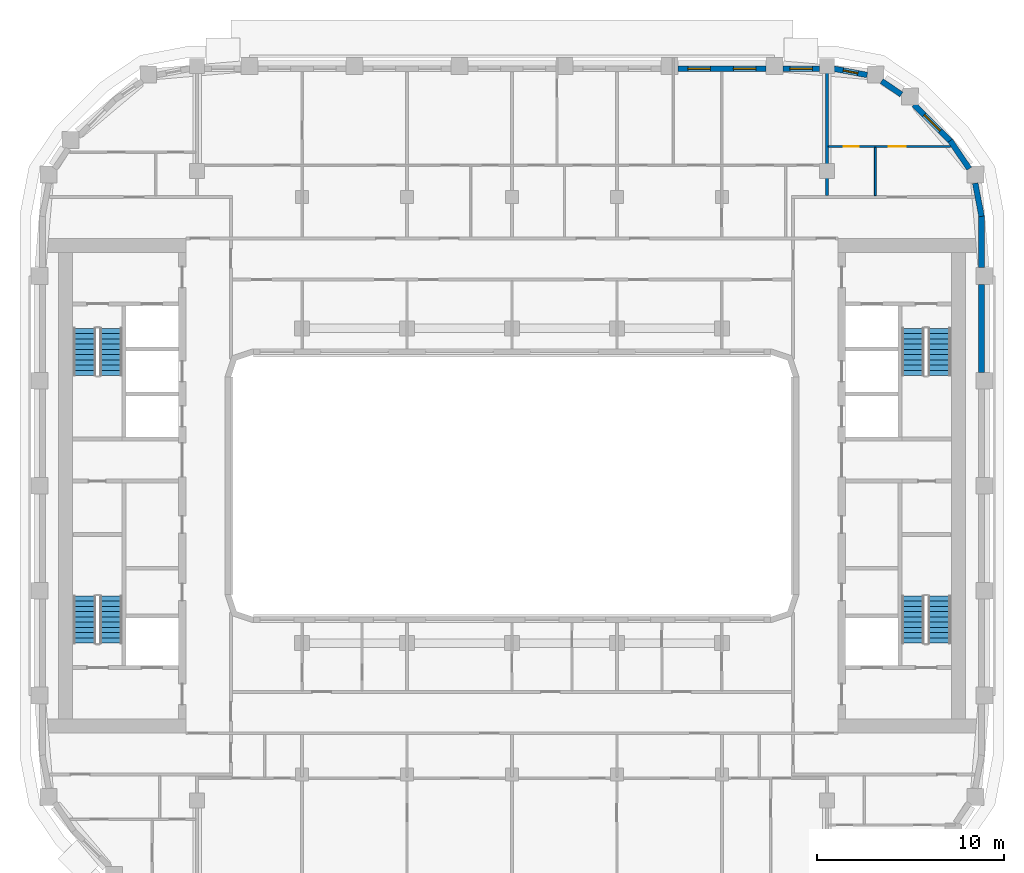
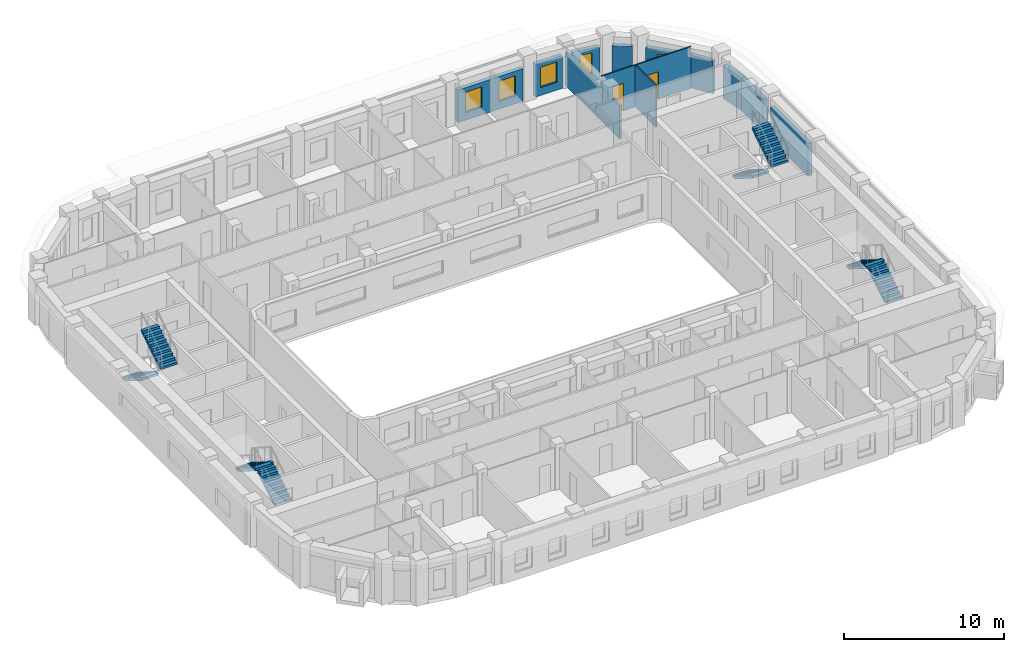
# One storey, part 9 of 21: 12 walls, 8 stair flights, 5 windows, 2 doors, 7 openings, 4 elements without a shape of their own.
"""IFC4 building model written with IfcOpenShell, lengths in metres."""

from ifc_helpers import new_model, si_unit, direction, frame, frame_2d, origin, place, context, subcontext, project, spatial, polyline, rectangle, outline, extrude, material, layer, layer_set, type_object, element, fill, aggregate, save


model = new_model("IFC4")

# Units and contexts
model_context = context("Model", 3, precision=1e-05, world=origin(), true_north=direction((0.0, 1.0)))
body_context = subcontext(model_context, "Body", "Model", "MODEL_VIEW")
ifc_project = project(units=[si_unit("LENGTHUNIT", "METRE"), si_unit("AREAUNIT", "SQUARE_METRE"), si_unit("VOLUMEUNIT", "CUBIC_METRE"), si_unit("PLANEANGLEUNIT", "RADIAN"), si_unit("MASSUNIT", "GRAM", prefix="KILO")], contexts=[model_context])

# Site, building, storey
site_placement = place(None, origin())
site = spatial("IfcSite", under=ifc_project, at=site_placement, CompositionType="ELEMENT")
building_placement = place(site_placement, origin())
building = spatial("IfcBuilding", under=site, at=building_placement, Name="Kiln Ring Residences", CompositionType="ELEMENT")
storey_placement = place(building_placement, frame((0.0, 0.0, 195.89990234375)))
storey = spatial("IfcBuildingStorey", under=building, at=storey_placement, Name="L50", CompositionType="ELEMENT", Elevation=195.89990234375)

# Walls
ifc_material_1 = material(Name="Brick masonry, dark clay brick", Category="masonry")
ifc_layer_1 = layer(ifc_material_1, 0.300048828125)
ifc_layer_set_1 = layer_set([ifc_layer_1], Name="EW-300 BRICK WALL")
wall_type_1 = type_object("IfcWallType", Name="EW-300 BRICK WALL", PredefinedType="SOLIDWALL", material=ifc_layer_set_1)
wall_1_placement = place(storey_placement, frame((25.050048828125, 6.050048828125, 0.0), z_axis=(0.0, 0.0, 1.0), x_axis=(0.0, 1.0, 0.0)))
element("IfcWall", 1, at=wall_1_placement, inside=storey, type_object=wall_type_1, Name="Facade wall L50 20", PredefinedType="SOLIDWALL", context=body_context, shape_type="SweptSolid", body=[
    extrude(rectangle(XDim=4.699951171875, YDim=0.300048828125, at=frame_2d((2.35009765625, 0.0))), origin(), (0.0, 0.0, 1.0), 2.5),
])
wall_2_placement = place(storey_placement, frame((25.050048828125, 11.64990234375, 0.0), z_axis=(0.0, 0.0, 1.0), x_axis=(0.0, 1.0, 0.0)))
element("IfcWall", 2, at=wall_2_placement, inside=storey, type_object=wall_type_1, Name="Facade wall L50 21", PredefinedType="SOLIDWALL", context=body_context, shape_type="SweptSolid", body=[
    extrude(rectangle(XDim=2.75, YDim=0.300048828125, at=frame_2d((1.375, 0.0))), origin(), (0.0, 0.0, 1.0), 2.5),
])
for number, where, z_axis, x_axis, name in (
    (3, (25.052734375, 14.371826171875, 0.0), (0.0, 0.0, 1.0), (-0.187348135549, 0.982293579388, 0.0), "Facade wall L50 22"),
    (4, (24.39404296875, 16.9189453125, 0.0), (0.0, 0.0, 1.0), (-0.562040093569, 0.827109988588, 0.0), "Facade wall L50 23"),
):
    element("IfcWall", number, at=place(storey_placement, frame(where, z_axis=z_axis, x_axis=x_axis)), inside=storey, type_object=wall_type_1, Name=name, PredefinedType="SOLIDWALL", context=body_context, shape_type="SweptSolid", body=[
        extrude(rectangle(XDim=1.80615234375, YDim=0.300048828125, at=frame_2d((0.903076171875, 0.0))), origin(), (0.0, 0.0, 1.0), 2.5),
    ])

# Wall, opening, window
wall_3_placement = place(storey_placement, frame((23.39697265625, 18.390869140625, 0.0), z_axis=(0.0, 0.0, 1.0), x_axis=(-0.707106781187, 0.707106781187, 0.0)))
wall_3 = element("IfcWall", 5, at=wall_3_placement, inside=storey, type_object=wall_type_1, Name="Facade wall L50 24", PredefinedType="SOLIDWALL", context=body_context, shape_type="SweptSolid", body=[
    extrude(rectangle(XDim=2.75, YDim=0.300048828125, at=frame_2d((1.375, 0.0))), origin(), (0.0, 0.0, 1.0), 2.5),
])
opening_1_placement = place(wall_3_placement, frame((0.77490234375, 0.0, 0.60009765625)))
opening_1 = element("IfcOpeningElement", 6, at=opening_1_placement, cuts=wall_3, Name="Opening W1", PredefinedType="OPENING", context=body_context, shape_type="SweptSolid", body=[
    extrude(rectangle(XDim=1.199951171875, YDim=1.550048828125, at=frame_2d((0.60009765625, 0.77490234375))), frame((0.0, 0.159912109375, 0.0), z_axis=(0.0, -1.0, 0.0), x_axis=(1.0, 0.0, 0.0)), (0.0, 0.0, 1.0), 0.320068359375),
])
ifc_material_2 = material(Name="Aluminium frame with double glazing", Category="aluminium")
window_type_1 = type_object("IfcWindowType", Name="WINDOW 1200 x 1550", PartitioningType="SINGLE_PANEL", PredefinedType="WINDOW", material=ifc_material_2)
window_1_placement = place(opening_1_placement, origin())
window_1 = element("IfcWindow", 7, at=window_1_placement, inside=storey, type_object=window_type_1, Name="Window L50 18", OverallHeight=1.550048828125, OverallWidth=1.199951171875, PartitioningType="SINGLE_PANEL", PredefinedType="WINDOW", context=body_context, shape_type="SweptSolid", body=[
    extrude(rectangle(XDim=1.199951171875, YDim=1.550048828125, at=frame_2d((0.60009765625, 0.77490234375))), frame((0.0, 0.030029296875, 0.0), z_axis=(0.0, -1.0, 0.0), x_axis=(1.0, 0.0, 0.0)), (0.0, 0.0, 1.0), 0.06005859375),
])
fill(opening_1, window_1)

# Wall
wall_4_placement = place(storey_placement, frame((20.775146484375, 20.876220703125, 0.0), z_axis=(0.0, 0.0, 1.0), x_axis=(-0.827075824828, 0.562090366388, 0.0)))
element("IfcWall", 8, at=wall_4_placement, inside=storey, type_object=wall_type_1, Name="Facade wall L50 25", PredefinedType="SOLIDWALL", context=body_context, shape_type="SweptSolid", body=[
    extrude(rectangle(XDim=1.27685546875, YDim=0.300048828125, at=frame_2d((0.638427734375, 0.0))), origin(), (0.0, 0.0, 1.0), 2.5),
])

# Wall, opening, window
wall_5_placement = place(storey_placement, frame((18.946044921875, 21.914306640625, 0.0), z_axis=(0.0, 0.0, 1.0), x_axis=(-0.98230529033, 0.187286722942, 0.0)))
wall_5 = element("IfcWall", 9, at=wall_5_placement, inside=storey, type_object=wall_type_1, Name="Facade wall L50 26", PredefinedType="SOLIDWALL", context=body_context, shape_type="SweptSolid", body=[
    extrude(rectangle(XDim=1.798828125, YDim=0.300048828125, at=frame_2d((0.8994140625, 0.0))), origin(), (0.0, 0.0, 1.0), 2.5),
])
opening_2_placement = place(wall_5_placement, frame((0.49951171875, 0.0, 0.60009765625)))
opening_2 = element("IfcOpeningElement", 10, at=opening_2_placement, cuts=wall_5, Name="Opening W5", PredefinedType="OPENING", context=body_context, shape_type="SweptSolid", body=[
    extrude(rectangle(XDim=0.800048828125, YDim=1.550048828125, at=frame_2d((0.39990234375, 0.77490234375))), frame((0.0, 0.159912109375, 0.0), z_axis=(0.0, -1.0, 0.0), x_axis=(1.0, 0.0, 0.0)), (0.0, 0.0, 1.0), 0.320068359375),
])
ifc_material_3 = material(Name="Aluminium frame with double glazing", Category="aluminium")
window_type_2 = type_object("IfcWindowType", Name="WINDOW 800 x 1550", PartitioningType="SINGLE_PANEL", PredefinedType="WINDOW", material=ifc_material_3)
window_2_placement = place(opening_2_placement, origin())
window_2 = element("IfcWindow", 11, at=window_2_placement, inside=storey, type_object=window_type_2, Name="Window L50 19", OverallHeight=1.550048828125, OverallWidth=0.800048828125, PartitioningType="SINGLE_PANEL", PredefinedType="WINDOW", context=body_context, shape_type="SweptSolid", body=[
    extrude(rectangle(XDim=0.800048828125, YDim=1.550048828125, at=frame_2d((0.39990234375, 0.77490234375))), frame((0.0, 0.030029296875, 0.0), z_axis=(0.0, -1.0, 0.0), x_axis=(1.0, 0.0, 0.0)), (0.0, 0.0, 1.0), 0.06005859375),
])
fill(opening_2, window_2)

wall_6_placement = place(storey_placement, frame((16.39990234375, 22.25, 0.0), z_axis=(0.0, 0.0, 1.0), x_axis=(-1.0, 0.0, 0.0)))
wall_6 = element("IfcWall", 12, at=wall_6_placement, inside=storey, type_object=wall_type_1, Name="Facade wall L50 27", PredefinedType="SOLIDWALL", context=body_context, shape_type="SweptSolid", body=[
    extrude(rectangle(XDim=1.949951171875, YDim=0.300048828125, at=frame_2d((0.97509765625, 0.0))), origin(), (0.0, 0.0, 1.0), 2.5),
])
opening_3_placement = place(wall_6_placement, frame((0.375, 0.0, 0.60009765625)))
opening_3 = element("IfcOpeningElement", 13, at=opening_3_placement, cuts=wall_6, Name="Opening W1", PredefinedType="OPENING", context=body_context, shape_type="SweptSolid", body=[
    extrude(rectangle(XDim=1.199951171875, YDim=1.550048828125, at=frame_2d((0.60009765625, 0.77490234375))), frame((0.0, 0.159912109375, 0.0), z_axis=(0.0, -1.0, 0.0), x_axis=(1.0, 0.0, 0.0)), (0.0, 0.0, 1.0), 0.320068359375),
])
window_3_placement = place(opening_3_placement, origin())
window_3 = element("IfcWindow", 14, at=window_3_placement, inside=storey, type_object=window_type_1, Name="Window L50 20", OverallHeight=1.550048828125, OverallWidth=1.199951171875, PartitioningType="SINGLE_PANEL", PredefinedType="WINDOW", context=body_context, shape_type="SweptSolid", body=[
    extrude(rectangle(XDim=1.199951171875, YDim=1.550048828125, at=frame_2d((0.60009765625, 0.77490234375))), frame((0.0, 0.030029296875, 0.0), z_axis=(0.0, -1.0, 0.0), x_axis=(1.0, 0.0, 0.0)), (0.0, 0.0, 1.0), 0.06005859375),
])
fill(opening_3, window_3)

# Wall, openings, windows
wall_7_placement = place(storey_placement, frame((13.550048828125, 22.25, 0.0), z_axis=(0.0, 0.0, 1.0), x_axis=(-1.0, 0.0, 0.0)))
wall_7 = element("IfcWall", 15, at=wall_7_placement, inside=storey, type_object=wall_type_1, Name="Facade wall L50 28", PredefinedType="SOLIDWALL", context=body_context, shape_type="SweptSolid", body=[
    extrude(rectangle(XDim=4.699951171875, YDim=0.300048828125, at=frame_2d((2.35009765625, 0.0))), origin(), (0.0, 0.0, 1.0), 2.5),
])
opening_4_placement = place(wall_7_placement, frame((0.53759765625, 0.0, 0.60009765625)))
opening_4 = element("IfcOpeningElement", 16, at=opening_4_placement, cuts=wall_7, Name="Opening W1", PredefinedType="OPENING", context=body_context, shape_type="SweptSolid", body=[
    extrude(rectangle(XDim=1.199951171875, YDim=1.550048828125, at=frame_2d((0.60009765625, 0.77490234375))), frame((0.0, 0.159912109375, 0.0), z_axis=(0.0, -1.0, 0.0), x_axis=(1.0, 0.0, 0.0)), (0.0, 0.0, 1.0), 0.320068359375),
])
opening_5_placement = place(wall_7_placement, frame((2.96240234375, 0.0, 0.60009765625)))
opening_5 = element("IfcOpeningElement", 17, at=opening_5_placement, cuts=wall_7, Name="Opening W1", PredefinedType="OPENING", context=body_context, shape_type="SweptSolid", body=[
    extrude(rectangle(XDim=1.199951171875, YDim=1.550048828125, at=frame_2d((0.60009765625, 0.77490234375))), frame((0.0, 0.159912109375, 0.0), z_axis=(0.0, -1.0, 0.0), x_axis=(1.0, 0.0, 0.0)), (0.0, 0.0, 1.0), 0.320068359375),
])
window_4_placement = place(opening_4_placement, origin())
window_4 = element("IfcWindow", 18, at=window_4_placement, inside=storey, type_object=window_type_1, Name="Window L50 21", OverallHeight=1.550048828125, OverallWidth=1.199951171875, PartitioningType="SINGLE_PANEL", PredefinedType="WINDOW", context=body_context, shape_type="SweptSolid", body=[
    extrude(rectangle(XDim=1.199951171875, YDim=1.550048828125, at=frame_2d((0.60009765625, 0.77490234375))), frame((0.0, 0.030029296875, 0.0), z_axis=(0.0, -1.0, 0.0), x_axis=(1.0, 0.0, 0.0)), (0.0, 0.0, 1.0), 0.06005859375),
])
fill(opening_4, window_4)
window_5_placement = place(opening_5_placement, origin())
window_5 = element("IfcWindow", 19, at=window_5_placement, inside=storey, type_object=window_type_1, Name="Window L50 22", OverallHeight=1.550048828125, OverallWidth=1.199951171875, PartitioningType="SINGLE_PANEL", PredefinedType="WINDOW", context=body_context, shape_type="SweptSolid", body=[
    extrude(rectangle(XDim=1.199951171875, YDim=1.550048828125, at=frame_2d((0.60009765625, 0.77490234375))), frame((0.0, 0.030029296875, 0.0), z_axis=(0.0, -1.0, 0.0), x_axis=(1.0, 0.0, 0.0)), (0.0, 0.0, 1.0), 0.06005859375),
])
fill(opening_5, window_5)

# Wall, openings, doors
ifc_material_4 = material(Name="Gypsum board on steel studs", Category="steel")
ifc_layer_2 = layer(ifc_material_4, 0.10009765625)
ifc_layer_set_2 = layer_set([ifc_layer_2], Name="PARTITION-100")
wall_type_2 = type_object("IfcWallType", Name="PARTITION-100", PredefinedType="PARTITIONING", material=ifc_layer_set_2)
wall_8_placement = place(storey_placement, frame((16.875, 18.10009765625, 0.0), z_axis=(0.0, 0.0, 1.0), x_axis=(1.0, 0.0, 0.0)))
wall_8 = element("IfcWall", 20, at=wall_8_placement, inside=storey, type_object=wall_type_2, Name="Partition 013", PredefinedType="PARTITIONING", context=body_context, shape_type="SweptSolid", body=[
    extrude(rectangle(XDim=6.51513671875, YDim=0.10009765625, at=frame_2d((3.257568359375, 0.0))), origin(), (0.0, 0.0, 1.0), 3.2001953125),
])
opening_6_placement = place(wall_8_placement, frame((0.824951171875, 0.0, 0.0)))
opening_6 = element("IfcOpeningElement", 21, at=opening_6_placement, cuts=wall_8, Name="Opening L50-D033", PredefinedType="OPENING", context=body_context, shape_type="SweptSolid", body=[
    extrude(rectangle(XDim=0.800048828125, YDim=2.10009765625, at=frame_2d((0.39990234375, 1.050048828125))), frame((0.0, 0.06005859375, 0.0), z_axis=(0.0, -1.0, 0.0), x_axis=(1.0, 0.0, 0.0)), (0.0, 0.0, 1.0), 0.1201171875),
])
opening_7_placement = place(wall_8_placement, frame((3.239013671875, 0.0, 0.0)))
opening_7 = element("IfcOpeningElement", 22, at=opening_7_placement, cuts=wall_8, Name="Opening L50-D034", PredefinedType="OPENING", context=body_context, shape_type="SweptSolid", body=[
    extrude(rectangle(XDim=0.89990234375, YDim=2.10009765625, at=frame_2d((0.449951171875, 1.050048828125))), frame((0.0, 0.06005859375, 0.0), z_axis=(0.0, -1.0, 0.0), x_axis=(1.0, 0.0, 0.0)), (0.0, 0.0, 1.0), 0.1201171875),
])
ifc_material_5 = material(Name="Timber door leaf", Category="wood")
door_type_1 = type_object("IfcDoorType", Name="FLAT-DOOR-800-PL", OperationType="SINGLE_SWING_LEFT", PredefinedType="DOOR", material=ifc_material_5)
door_1_placement = place(opening_6_placement, origin())
door_1 = element("IfcDoor", 23, at=door_1_placement, inside=storey, type_object=door_type_1, Name="Door L50-D033", OperationType="SINGLE_SWING_LEFT", OverallHeight=2.10009765625, OverallWidth=0.800048828125, PredefinedType="DOOR", context=body_context, shape_type="SweptSolid", body=[
    extrude(rectangle(XDim=0.800048828125, YDim=2.10009765625, at=frame_2d((0.39990234375, 1.050048828125))), frame((0.0, 0.02490234375, 0.0), z_axis=(0.0, -1.0, 0.0), x_axis=(1.0, 0.0, 0.0)), (0.0, 0.0, 1.0), 0.050048828125),
])
fill(opening_6, door_1)
ifc_material_6 = material(Name="Timber door leaf", Category="wood")
door_type_2 = type_object("IfcDoorType", Name="FLAT-DOOR-900-PL", OperationType="SINGLE_SWING_LEFT", PredefinedType="DOOR", material=ifc_material_6)
door_2_placement = place(opening_7_placement, origin())
door_2 = element("IfcDoor", 24, at=door_2_placement, inside=storey, type_object=door_type_2, Name="Door L50-D034", OperationType="SINGLE_SWING_RIGHT", OverallHeight=2.10009765625, OverallWidth=0.89990234375, PredefinedType="DOOR", context=body_context, shape_type="SweptSolid", body=[
    extrude(rectangle(XDim=0.89990234375, YDim=2.10009765625, at=frame_2d((0.449951171875, 1.050048828125))), frame((0.0, 0.02490234375, 0.0), z_axis=(0.0, -1.0, 0.0), x_axis=(1.0, 0.0, 0.0)), (0.0, 0.0, 1.0), 0.050048828125),
])
fill(opening_7, door_2)

# Walls
wall_9_placement = place(storey_placement, frame((19.389892578125, 15.47509765625, 0.0), z_axis=(0.0, 0.0, 1.0), x_axis=(0.0, 1.0, 0.0)))
element("IfcWall", 25, at=wall_9_placement, inside=storey, type_object=wall_type_2, Name="Partition 071", PredefinedType="PARTITIONING", context=body_context, shape_type="SweptSolid", body=[
    extrude(rectangle(XDim=2.574951171875, YDim=0.10009765625, at=frame_2d((1.28759765625, 0.0))), origin(), (0.0, 0.0, 1.0), 3.2001953125),
])
ifc_material_7 = material(Name="Brick masonry partition", Category="masonry")
ifc_layer_3 = layer(ifc_material_7, 0.14990234375)
ifc_layer_set_3 = layer_set([ifc_layer_3], Name="PARTITION-150-ei60")
wall_type_3 = type_object("IfcWallType", Name="PARTITION-150-ei60", PredefinedType="PARTITIONING", material=ifc_layer_set_3)
wall_10_placement = place(storey_placement, frame((16.800048828125, 15.47509765625, 0.0), z_axis=(0.0, 0.0, 1.0), x_axis=(0.0, 1.0, 0.0)))
element("IfcWall", 26, at=wall_10_placement, inside=storey, type_object=wall_type_3, Name="Partition 069", PredefinedType="PARTITIONING", context=body_context, shape_type="SweptSolid", body=[
    extrude(rectangle(XDim=6.8349609375, YDim=0.14990234375, at=frame_2d((3.41748046875, 0.0))), origin(), (0.0, 0.0, 1.0), 2.550048828125),
])

# Stair, stair flights
ifc_material_8 = material(Name="Concrete C40/50", Category="concrete")
stair_type = type_object("IfcStairType", Name="CORE-STAIR", PredefinedType="HALF_TURN_STAIR", material=ifc_material_8)
placement = place(storey_placement, origin())
stair_1 = element("IfcStair", 27, at=placement, inside=storey, type_object=stair_type, Name="L50 stair W-STN", PredefinedType="HALF_TURN_STAIR")
ifc_material_9 = material(Name="Concrete C40/50", Category="concrete")
stair_flight_type = type_object("IfcStairFlightType", Name="CORE-STAIR-FLIGHT", PredefinedType="STRAIGHT", material=ifc_material_9)
stair_flight_1_placement = place(storey_placement, frame((-22.800048828125, 8.39990234375, 0.0), z_axis=(0.0, 0.0, 1.0), x_axis=(0.0, -1.0, 0.0)))
stair_flight_1 = element("IfcStairFlight", 28, at=stair_flight_1_placement, type_object=stair_flight_type, Name="W-STN flight 1", NumberOfRisers=10, NumberOfTreads=9, PredefinedType="STRAIGHT", RiserHeight=0.175, TreadLength=0.28, context=body_context, shape_type="SweptSolid", body=[
    extrude(outline(polyline([(0.0, 0.0), (0.0, 0.175048828125), (0.280029296875, 0.175048828125), (0.280029296875, 0.35009765625), (0.56005859375, 0.35009765625), (0.56005859375, 0.52490234375), (0.840087890625, 0.52490234375), (0.840087890625, 0.699951171875), (1.1201171875, 0.699951171875), (1.1201171875, 0.875), (1.39990234375, 0.875), (1.39990234375, 1.050048828125), (1.679931640625, 1.050048828125), (1.679931640625, 1.22509765625), (1.9599609375, 1.22509765625), (1.9599609375, 1.39990234375), (2.239990234375, 1.39990234375), (2.239990234375, 1.574951171875), (2.52001953125, 1.574951171875), (2.52001953125, 1.75), (2.52001953125, 1.398193359375), (0.28271484375, 0.0), (0.0, 0.0)])), frame((0.0, 0.60009765625, 0.0), z_axis=(0.0, -1.0, 0.0), x_axis=(1.0, 0.0, 0.0)), (0.0, 0.0, 1.0), 1.199951171875),
])
stair_flight_2_placement = place(storey_placement, frame((-21.39990234375, 5.8798828125, 1.75), z_axis=(0.0, 0.0, 1.0), x_axis=(0.0, 1.0, 0.0)))
stair_flight_2 = element("IfcStairFlight", 29, at=stair_flight_2_placement, type_object=stair_flight_type, Name="W-STN flight 2", NumberOfRisers=10, NumberOfTreads=9, PredefinedType="STRAIGHT", RiserHeight=0.175, TreadLength=0.28, context=body_context, shape_type="SweptSolid", body=[
    extrude(outline(polyline([(0.0, 0.0), (0.0, 0.175048828125), (0.280029296875, 0.175048828125), (0.280029296875, 0.35009765625), (0.56005859375, 0.35009765625), (0.56005859375, 0.52490234375), (0.840087890625, 0.52490234375), (0.840087890625, 0.699951171875), (1.1201171875, 0.699951171875), (1.1201171875, 0.875), (1.39990234375, 0.875), (1.39990234375, 1.050048828125), (1.679931640625, 1.050048828125), (1.679931640625, 1.22509765625), (1.9599609375, 1.22509765625), (1.9599609375, 1.39990234375), (2.239990234375, 1.39990234375), (2.239990234375, 1.574951171875), (2.52001953125, 1.574951171875), (2.52001953125, 1.75), (2.52001953125, 1.398193359375), (0.28271484375, 0.0), (0.0, 0.0)])), frame((0.0, 0.60009765625, 0.0), z_axis=(0.0, -1.0, 0.0), x_axis=(1.0, 0.0, 0.0)), (0.0, 0.0, 1.0), 1.199951171875),
])
aggregate(stair_1, [stair_flight_1, stair_flight_2])

stair_2 = element("IfcStair", 30, at=placement, inside=storey, type_object=stair_type, Name="L50 stair W-STS", PredefinedType="HALF_TURN_STAIR")
stair_flight_3_placement = place(storey_placement, frame((-21.39990234375, -8.39990234375, 0.0), z_axis=(0.0, 0.0, 1.0), x_axis=(0.0, 1.0, 0.0)))
stair_flight_3 = element("IfcStairFlight", 31, at=stair_flight_3_placement, type_object=stair_flight_type, Name="W-STS flight 1", NumberOfRisers=10, NumberOfTreads=9, PredefinedType="STRAIGHT", RiserHeight=0.175, TreadLength=0.28, context=body_context, shape_type="SweptSolid", body=[
    extrude(outline(polyline([(0.0, 0.0), (0.0, 0.175048828125), (0.280029296875, 0.175048828125), (0.280029296875, 0.35009765625), (0.56005859375, 0.35009765625), (0.56005859375, 0.52490234375), (0.840087890625, 0.52490234375), (0.840087890625, 0.699951171875), (1.1201171875, 0.699951171875), (1.1201171875, 0.875), (1.39990234375, 0.875), (1.39990234375, 1.050048828125), (1.679931640625, 1.050048828125), (1.679931640625, 1.22509765625), (1.9599609375, 1.22509765625), (1.9599609375, 1.39990234375), (2.239990234375, 1.39990234375), (2.239990234375, 1.574951171875), (2.52001953125, 1.574951171875), (2.52001953125, 1.75), (2.52001953125, 1.398193359375), (0.28271484375, 0.0), (0.0, 0.0)])), frame((0.0, 0.60009765625, 0.0), z_axis=(0.0, -1.0, 0.0), x_axis=(1.0, 0.0, 0.0)), (0.0, 0.0, 1.0), 1.199951171875),
])
stair_flight_4_placement = place(storey_placement, frame((-22.800048828125, -5.8798828125, 1.75), z_axis=(0.0, 0.0, 1.0), x_axis=(0.0, -1.0, 0.0)))
stair_flight_4 = element("IfcStairFlight", 32, at=stair_flight_4_placement, type_object=stair_flight_type, Name="W-STS flight 2", NumberOfRisers=10, NumberOfTreads=9, PredefinedType="STRAIGHT", RiserHeight=0.175, TreadLength=0.28, context=body_context, shape_type="SweptSolid", body=[
    extrude(outline(polyline([(0.0, 0.0), (0.0, 0.175048828125), (0.280029296875, 0.175048828125), (0.280029296875, 0.35009765625), (0.56005859375, 0.35009765625), (0.56005859375, 0.52490234375), (0.840087890625, 0.52490234375), (0.840087890625, 0.699951171875), (1.1201171875, 0.699951171875), (1.1201171875, 0.875), (1.39990234375, 0.875), (1.39990234375, 1.050048828125), (1.679931640625, 1.050048828125), (1.679931640625, 1.22509765625), (1.9599609375, 1.22509765625), (1.9599609375, 1.39990234375), (2.239990234375, 1.39990234375), (2.239990234375, 1.574951171875), (2.52001953125, 1.574951171875), (2.52001953125, 1.75), (2.52001953125, 1.398193359375), (0.28271484375, 0.0), (0.0, 0.0)])), frame((0.0, 0.60009765625, 0.0), z_axis=(0.0, -1.0, 0.0), x_axis=(1.0, 0.0, 0.0)), (0.0, 0.0, 1.0), 1.199951171875),
])
aggregate(stair_2, [stair_flight_3, stair_flight_4])

stair_3 = element("IfcStair", 33, at=placement, inside=storey, type_object=stair_type, Name="L50 stair E-STN", PredefinedType="HALF_TURN_STAIR")
stair_flight_5_placement = place(storey_placement, frame((21.39990234375, 8.39990234375, 0.0), z_axis=(0.0, 0.0, 1.0), x_axis=(0.0, -1.0, 0.0)))
stair_flight_5 = element("IfcStairFlight", 34, at=stair_flight_5_placement, type_object=stair_flight_type, Name="E-STN flight 1", NumberOfRisers=10, NumberOfTreads=9, PredefinedType="STRAIGHT", RiserHeight=0.175, TreadLength=0.28, context=body_context, shape_type="SweptSolid", body=[
    extrude(outline(polyline([(0.0, 0.0), (0.0, 0.175048828125), (0.280029296875, 0.175048828125), (0.280029296875, 0.35009765625), (0.56005859375, 0.35009765625), (0.56005859375, 0.52490234375), (0.840087890625, 0.52490234375), (0.840087890625, 0.699951171875), (1.1201171875, 0.699951171875), (1.1201171875, 0.875), (1.39990234375, 0.875), (1.39990234375, 1.050048828125), (1.679931640625, 1.050048828125), (1.679931640625, 1.22509765625), (1.9599609375, 1.22509765625), (1.9599609375, 1.39990234375), (2.239990234375, 1.39990234375), (2.239990234375, 1.574951171875), (2.52001953125, 1.574951171875), (2.52001953125, 1.75), (2.52001953125, 1.398193359375), (0.28271484375, 0.0), (0.0, 0.0)])), frame((0.0, 0.60009765625, 0.0), z_axis=(0.0, -1.0, 0.0), x_axis=(1.0, 0.0, 0.0)), (0.0, 0.0, 1.0), 1.199951171875),
])
stair_flight_6_placement = place(storey_placement, frame((22.800048828125, 5.8798828125, 1.75), z_axis=(0.0, 0.0, 1.0), x_axis=(0.0, 1.0, 0.0)))
stair_flight_6 = element("IfcStairFlight", 35, at=stair_flight_6_placement, type_object=stair_flight_type, Name="E-STN flight 2", NumberOfRisers=10, NumberOfTreads=9, PredefinedType="STRAIGHT", RiserHeight=0.175, TreadLength=0.28, context=body_context, shape_type="SweptSolid", body=[
    extrude(outline(polyline([(0.0, 0.0), (0.0, 0.175048828125), (0.280029296875, 0.175048828125), (0.280029296875, 0.35009765625), (0.56005859375, 0.35009765625), (0.56005859375, 0.52490234375), (0.840087890625, 0.52490234375), (0.840087890625, 0.699951171875), (1.1201171875, 0.699951171875), (1.1201171875, 0.875), (1.39990234375, 0.875), (1.39990234375, 1.050048828125), (1.679931640625, 1.050048828125), (1.679931640625, 1.22509765625), (1.9599609375, 1.22509765625), (1.9599609375, 1.39990234375), (2.239990234375, 1.39990234375), (2.239990234375, 1.574951171875), (2.52001953125, 1.574951171875), (2.52001953125, 1.75), (2.52001953125, 1.398193359375), (0.28271484375, 0.0), (0.0, 0.0)])), frame((0.0, 0.60009765625, 0.0), z_axis=(0.0, -1.0, 0.0), x_axis=(1.0, 0.0, 0.0)), (0.0, 0.0, 1.0), 1.199951171875),
])
aggregate(stair_3, [stair_flight_5, stair_flight_6])

stair_4 = element("IfcStair", 36, at=placement, inside=storey, type_object=stair_type, Name="L50 stair E-STS", PredefinedType="HALF_TURN_STAIR")
stair_flight_7_placement = place(storey_placement, frame((22.800048828125, -8.39990234375, 0.0), z_axis=(0.0, 0.0, 1.0), x_axis=(0.0, 1.0, 0.0)))
stair_flight_7 = element("IfcStairFlight", 37, at=stair_flight_7_placement, type_object=stair_flight_type, Name="E-STS flight 1", NumberOfRisers=10, NumberOfTreads=9, PredefinedType="STRAIGHT", RiserHeight=0.175, TreadLength=0.28, context=body_context, shape_type="SweptSolid", body=[
    extrude(outline(polyline([(0.0, 0.0), (0.0, 0.175048828125), (0.280029296875, 0.175048828125), (0.280029296875, 0.35009765625), (0.56005859375, 0.35009765625), (0.56005859375, 0.52490234375), (0.840087890625, 0.52490234375), (0.840087890625, 0.699951171875), (1.1201171875, 0.699951171875), (1.1201171875, 0.875), (1.39990234375, 0.875), (1.39990234375, 1.050048828125), (1.679931640625, 1.050048828125), (1.679931640625, 1.22509765625), (1.9599609375, 1.22509765625), (1.9599609375, 1.39990234375), (2.239990234375, 1.39990234375), (2.239990234375, 1.574951171875), (2.52001953125, 1.574951171875), (2.52001953125, 1.75), (2.52001953125, 1.398193359375), (0.28271484375, 0.0), (0.0, 0.0)])), frame((0.0, 0.60009765625, 0.0), z_axis=(0.0, -1.0, 0.0), x_axis=(1.0, 0.0, 0.0)), (0.0, 0.0, 1.0), 1.199951171875),
])
stair_flight_8_placement = place(storey_placement, frame((21.39990234375, -5.8798828125, 1.75), z_axis=(0.0, 0.0, 1.0), x_axis=(0.0, -1.0, 0.0)))
stair_flight_8 = element("IfcStairFlight", 38, at=stair_flight_8_placement, type_object=stair_flight_type, Name="E-STS flight 2", NumberOfRisers=10, NumberOfTreads=9, PredefinedType="STRAIGHT", RiserHeight=0.175, TreadLength=0.28, context=body_context, shape_type="SweptSolid", body=[
    extrude(outline(polyline([(0.0, 0.0), (0.0, 0.175048828125), (0.280029296875, 0.175048828125), (0.280029296875, 0.35009765625), (0.56005859375, 0.35009765625), (0.56005859375, 0.52490234375), (0.840087890625, 0.52490234375), (0.840087890625, 0.699951171875), (1.1201171875, 0.699951171875), (1.1201171875, 0.875), (1.39990234375, 0.875), (1.39990234375, 1.050048828125), (1.679931640625, 1.050048828125), (1.679931640625, 1.22509765625), (1.9599609375, 1.22509765625), (1.9599609375, 1.39990234375), (2.239990234375, 1.39990234375), (2.239990234375, 1.574951171875), (2.52001953125, 1.574951171875), (2.52001953125, 1.75), (2.52001953125, 1.398193359375), (0.28271484375, 0.0), (0.0, 0.0)])), frame((0.0, 0.60009765625, 0.0), z_axis=(0.0, -1.0, 0.0), x_axis=(1.0, 0.0, 0.0)), (0.0, 0.0, 1.0), 1.199951171875),
])
aggregate(stair_4, [stair_flight_7, stair_flight_8])

save(model, "model.ifc")
